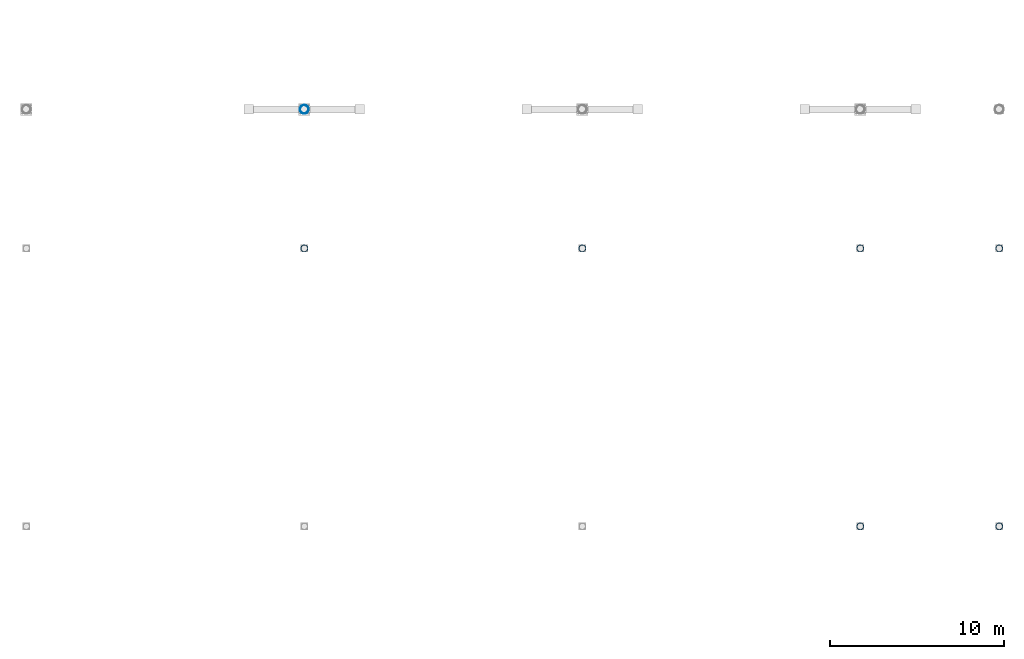
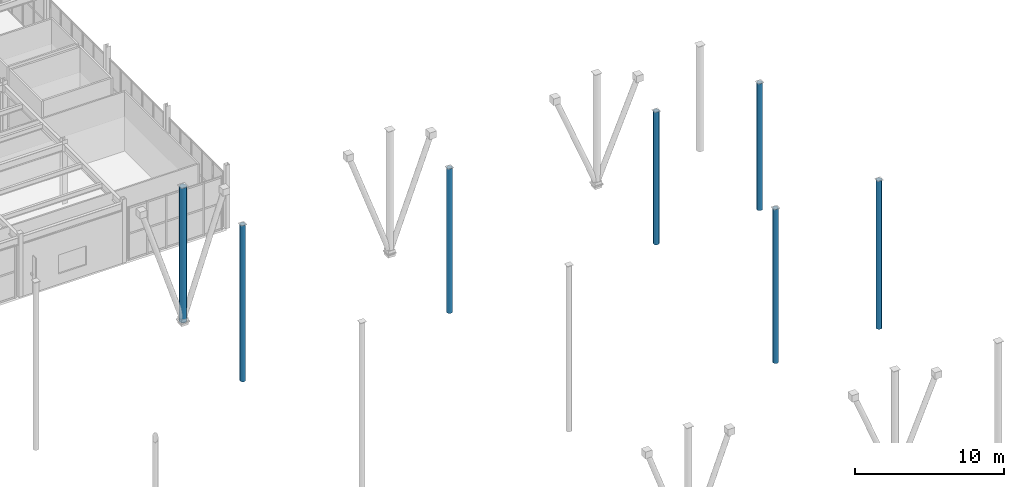
# One storey, part 16 of 77: 7 columns.
"""IFC4 building model written with IfcOpenShell, lengths in metres."""

from ifc_helpers import new_model, si_unit, direction, frame, origin, origin_2d, place, context, subcontext, project, spatial, hollow_circle, extrude, material, material_profile, profile_set, type_object, element, save


model = new_model("IFC4")

# Units and contexts
model_context = context("Model", 3, precision=1e-05, world=origin(), true_north=direction((0.0, 1.0)))
body_context = subcontext(model_context, "Body", "Model", "MODEL_VIEW")
ifc_project = project(units=[si_unit("LENGTHUNIT", "METRE"), si_unit("AREAUNIT", "SQUARE_METRE"), si_unit("VOLUMEUNIT", "CUBIC_METRE"), si_unit("PLANEANGLEUNIT", "RADIAN"), si_unit("MASSUNIT", "GRAM", prefix="KILO")], contexts=[model_context])

# Site, building, storey
site_placement = place(None, origin())
site = spatial("IfcSite", under=ifc_project, at=site_placement, CompositionType="ELEMENT")
building_placement = place(site_placement, origin())
building = spatial("IfcBuilding", under=site, at=building_placement, Name="Drelvath Fold Interchange", CompositionType="ELEMENT")
storey_placement = place(building_placement, frame((0.0, 0.0, 6.0)))
storey = spatial("IfcBuildingStorey", under=building, at=storey_placement, Name="L01", CompositionType="ELEMENT", Elevation=6.0)

# Columns
ifc_material = material(Name="Steel ASTM A500 Grade C", Category="steel")
ifc_material_profile_1 = material_profile(ifc_material, hollow_circle(Radius=0.25390625, WallThickness=0.014892578125, at=origin_2d()), Name="HSS20.000X0.625")
ifc_profile_set_1 = profile_set([ifc_material_profile_1], Name="Steel ASTM A500 Grade C")
column_type_1 = type_object("IfcColumnType", Name="COL-CFT508", PredefinedType="COLUMN", material=ifc_profile_set_1)
column_1_placement = place(storey_placement, frame((134.0, 67.0, 0.0), z_axis=(0.0, 0.0, 1.0), x_axis=(1.0, 0.0, 0.0)))
element("IfcColumn", 1, at=column_1_placement, inside=storey, type_object=column_type_1, Name="L01 column (134,67)", PredefinedType="COLUMN", context=body_context, shape_type="SweptSolid", body=[
    extrude(hollow_circle(Radius=0.25390625, WallThickness=0.014892578125, at=origin_2d()), origin(), (0.0, 0.0, 1.0), 11.047119140625),
])
ifc_material_profile_2 = material_profile(ifc_material, hollow_circle(Radius=0.202880859375, WallThickness=0.014892578125, at=origin_2d()), Name="HSS16.000X0.625")
ifc_profile_set_2 = profile_set([ifc_material_profile_2], Name="Steel ASTM A500 Grade C")
column_type_2 = type_object("IfcColumnType", Name="COL-CHS406", PredefinedType="COLUMN", material=ifc_profile_set_2)
column_2_placement = place(storey_placement, frame((134.0, 59.0, 0.0), z_axis=(0.0, 0.0, 1.0), x_axis=(1.0, 0.0, 0.0)))
element("IfcColumn", 2, at=column_2_placement, inside=storey, type_object=column_type_2, Name="L01 column (134,59)", PredefinedType="COLUMN", context=body_context, shape_type="SweptSolid", body=[
    extrude(hollow_circle(Radius=0.202880859375, WallThickness=0.014892578125, at=origin_2d()), origin(), (0.0, 0.0, 1.0), 12.791015625),
])
column_3_placement = place(storey_placement, frame((150.0, 59.0, 0.0), z_axis=(0.0, 0.0, 1.0), x_axis=(1.0, 0.0, 0.0)))
element("IfcColumn", 3, at=column_3_placement, inside=storey, type_object=column_type_2, Name="L01 column (150,59)", PredefinedType="COLUMN", context=body_context, shape_type="SweptSolid", body=[
    extrude(hollow_circle(Radius=0.202880859375, WallThickness=0.014892578125, at=origin_2d()), origin(), (0.0, 0.0, 1.0), 11.827880859375),
])
column_4_placement = place(storey_placement, frame((166.0, 43.0, 0.0), z_axis=(0.0, 0.0, 1.0), x_axis=(1.0, 0.0, 0.0)))
element("IfcColumn", 4, at=column_4_placement, inside=storey, type_object=column_type_2, Name="L01 column (166,43)", PredefinedType="COLUMN", context=body_context, shape_type="SweptSolid", body=[
    extrude(hollow_circle(Radius=0.202880859375, WallThickness=0.014892578125, at=origin_2d()), origin(), (0.0, 0.0, 1.0), 12.610107421875),
])
column_5_placement = place(storey_placement, frame((166.0, 59.0, 0.0), z_axis=(0.0, 0.0, 1.0), x_axis=(1.0, 0.0, 0.0)))
element("IfcColumn", 5, at=column_5_placement, inside=storey, type_object=column_type_2, Name="L01 column (166,59)", PredefinedType="COLUMN", context=body_context, shape_type="SweptSolid", body=[
    extrude(hollow_circle(Radius=0.202880859375, WallThickness=0.014892578125, at=origin_2d()), origin(), (0.0, 0.0, 1.0), 10.865966796875),
])
column_6_placement = place(storey_placement, frame((174.0, 43.0, 0.0), z_axis=(0.0, 0.0, 1.0), x_axis=(1.0, 0.0, 0.0)))
element("IfcColumn", 6, at=column_6_placement, inside=storey, type_object=column_type_2, Name="L01 column (174,43)", PredefinedType="COLUMN", context=body_context, shape_type="SweptSolid", body=[
    extrude(hollow_circle(Radius=0.202880859375, WallThickness=0.014892578125, at=origin_2d()), origin(), (0.0, 0.0, 1.0), 12.12890625),
])
column_7_placement = place(storey_placement, frame((174.0, 59.0, 0.0), z_axis=(0.0, 0.0, 1.0), x_axis=(1.0, 0.0, 0.0)))
element("IfcColumn", 7, at=column_7_placement, inside=storey, type_object=column_type_2, Name="L01 column (174,59)", PredefinedType="COLUMN", context=body_context, shape_type="SweptSolid", body=[
    extrude(hollow_circle(Radius=0.202880859375, WallThickness=0.014892578125, at=origin_2d()), origin(), (0.0, 0.0, 1.0), 10.385009765625),
])

save(model, "model.ifc")
